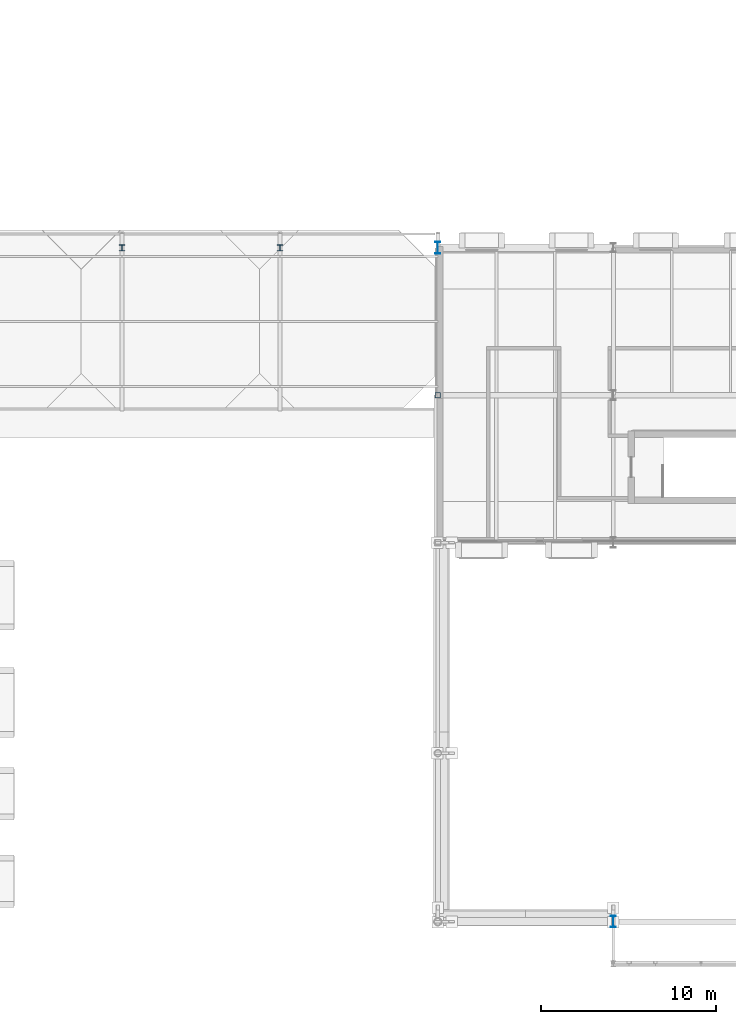
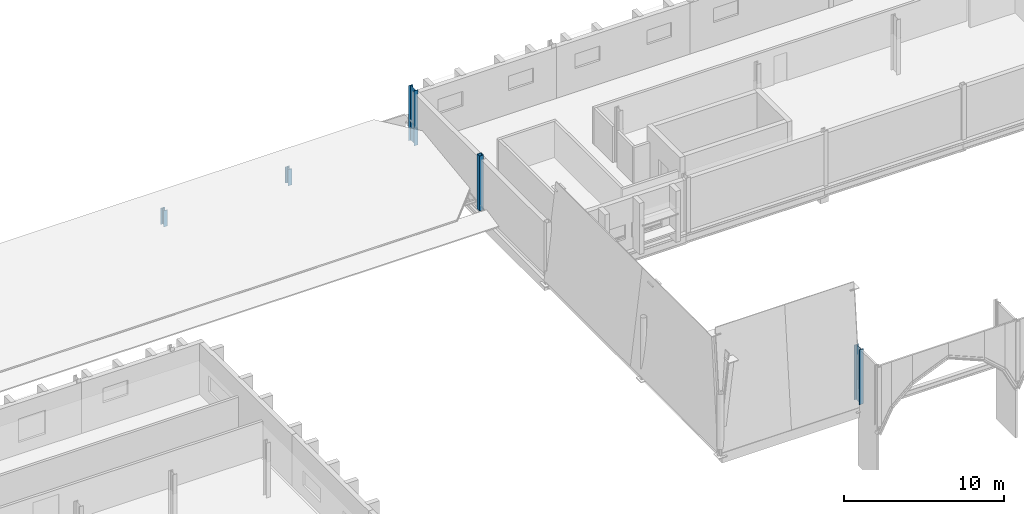
# One storey, part 16 of 90: 5 columns.
"""IFC4 building model written with IfcOpenShell, lengths in metres."""

from ifc_helpers import new_model, si_unit, direction, frame, origin, origin_2d, place, context, subcontext, project, spatial, hollow_rectangle, i_section, extrude, material, material_profile, profile_set, type_object, element, save


model = new_model("IFC4")

# Units and contexts
model_context = context("Model", 3, precision=1e-05, world=origin(), true_north=direction((0.0, 1.0)))
body_context = subcontext(model_context, "Body", "Model", "MODEL_VIEW")
ifc_project = project(units=[si_unit("LENGTHUNIT", "METRE"), si_unit("AREAUNIT", "SQUARE_METRE"), si_unit("VOLUMEUNIT", "CUBIC_METRE"), si_unit("PLANEANGLEUNIT", "RADIAN"), si_unit("MASSUNIT", "GRAM", prefix="KILO")], contexts=[model_context])

# Site, building, storey
site_placement = place(None, origin())
site = spatial("IfcSite", under=ifc_project, at=site_placement, CompositionType="ELEMENT")
building_placement = place(site_placement, origin())
building = spatial("IfcBuilding", under=site, at=building_placement, Name="Zereglee Splitstone Museum", CompositionType="ELEMENT")
storey_placement = place(building_placement, frame((0.0, 0.0, 4.800048828125)))
storey = spatial("IfcBuildingStorey", under=building, at=storey_placement, Name="L01", CompositionType="ELEMENT", Elevation=4.800048828125)

# Columns
ifc_material_1 = material(Name="Steel S355J2", Category="steel")
ifc_material_profile_1 = material_profile(ifc_material_1, i_section(OverallWidth=0.300048828125, OverallDepth=0.360107421875, WebThickness=0.012451171875, FlangeThickness=0.0224609375, FilletRadius=0.027099609375, at=origin_2d()), Name="HE 360 B")
ifc_profile_set_1 = profile_set([ifc_material_profile_1], Name="Steel S355J2")
column_type_1 = type_object("IfcColumnType", Name="C-16", PredefinedType="COLUMN", material=ifc_profile_set_1)
for number, where, z_axis, x_axis, name in (
    (1, (238.0, 38.39990234375, 0.0), (0.0, 0.0, 1.0), (1.0, 0.0, 0.0), "Roof Support Column RF-L3 (238.0,38.4)"),
    (2, (247.0, 38.39990234375, 0.0), (0.0, 0.0, 1.0), (1.0, 0.0, 0.0), "Roof Support Column RF-L3 (247.0,38.4)"),
):
    element("IfcColumn", number, at=place(storey_placement, frame(where, z_axis=z_axis, x_axis=x_axis)), inside=storey, type_object=column_type_1, Name=name, PredefinedType="COLUMN", context=body_context, shape_type="SweptSolid", body=[
        extrude(i_section(OverallWidth=0.300048828125, OverallDepth=0.360107421875, WebThickness=0.012451171875, FlangeThickness=0.0224609375, FilletRadius=0.027099609375, at=origin_2d()), origin(), (0.0, 0.0, 1.0), 1.2451171875),
    ])
ifc_material_profile_2 = material_profile(ifc_material_1, i_section(OverallWidth=0.300048828125, OverallDepth=0.64990234375, WebThickness=0.01611328125, FlangeThickness=0.031005859375, FilletRadius=0.027099609375, at=origin_2d()), Name="HE 650 B")
ifc_profile_set_2 = profile_set([ifc_material_profile_2], Name="Steel S355J2")
column_type_2 = type_object("IfcColumnType", Name="C-10", PredefinedType="COLUMN", material=ifc_profile_set_2)
column_1_placement = place(storey_placement, frame((266.0, 0.0, 0.0), z_axis=(0.0, 0.0, 1.0), x_axis=(1.0, 0.0, 0.0)))
element("IfcColumn", 3, at=column_1_placement, inside=storey, type_object=column_type_2, Name="Column 30/A L01", PredefinedType="COLUMN", context=body_context, shape_type="SweptSolid", body=[
    extrude(i_section(OverallWidth=0.300048828125, OverallDepth=0.64990234375, WebThickness=0.01611328125, FlangeThickness=0.031005859375, FilletRadius=0.027099609375, at=origin_2d()), origin(), (0.0, 0.0, 1.0), 4.199951171875),
])
ifc_material_profile_3 = material_profile(ifc_material_1, i_section(OverallWidth=0.300048828125, OverallDepth=0.699951171875, WebThickness=0.01708984375, FlangeThickness=0.031982421875, FilletRadius=0.027099609375, at=origin_2d()), Name="HE 700 B")
ifc_profile_set_3 = profile_set([ifc_material_profile_3], Name="Steel S355J2")
column_type_3 = type_object("IfcColumnType", Name="C-09", PredefinedType="COLUMN", material=ifc_profile_set_3)
column_2_placement = place(storey_placement, frame((256.0, 38.39990234375, 0.0), z_axis=(0.0, 0.0, 1.0), x_axis=(1.0, 0.0, 0.0)))
element("IfcColumn", 4, at=column_2_placement, inside=storey, type_object=column_type_3, Name="Column 29/E L01", PredefinedType="COLUMN", context=body_context, shape_type="SweptSolid", body=[
    extrude(i_section(OverallWidth=0.300048828125, OverallDepth=0.699951171875, WebThickness=0.01708984375, FlangeThickness=0.031982421875, FilletRadius=0.027099609375, at=origin_2d()), origin(), (0.0, 0.0, 1.0), 4.199951171875),
])
ifc_material_2 = material(Name="Steel S355J2H", Category="steel")
ifc_material_profile_4 = material_profile(ifc_material_2, hollow_rectangle(XDim=0.300048828125, YDim=0.300048828125, WallThickness=0.01611328125, at=origin_2d()), Name="SHS 300x300x16")
ifc_profile_set_4 = profile_set([ifc_material_profile_4], Name="Steel S355J2H")
column_type_4 = type_object("IfcColumnType", Name="C-20", PredefinedType="COLUMN", material=ifc_profile_set_4)
column_3_placement = place(storey_placement, frame((256.0, 30.0, 0.0), z_axis=(0.0, 0.0, 1.0), x_axis=(1.0, 0.0, 0.0)))
element("IfcColumn", 5, at=column_3_placement, inside=storey, type_object=column_type_4, Name="Column 29/D L01", PredefinedType="COLUMN", context=body_context, shape_type="SweptSolid", body=[
    extrude(hollow_rectangle(XDim=0.300048828125, YDim=0.300048828125, WallThickness=0.01611328125, at=origin_2d()), origin(), (0.0, 0.0, 1.0), 4.199951171875),
])

save(model, "model.ifc")
